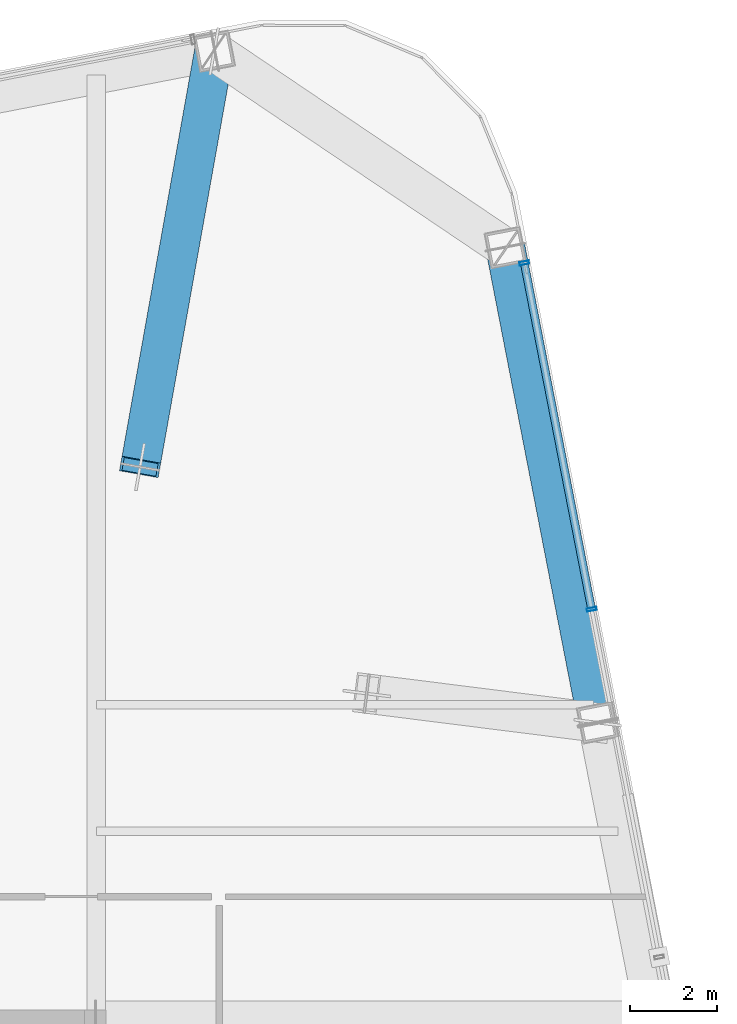
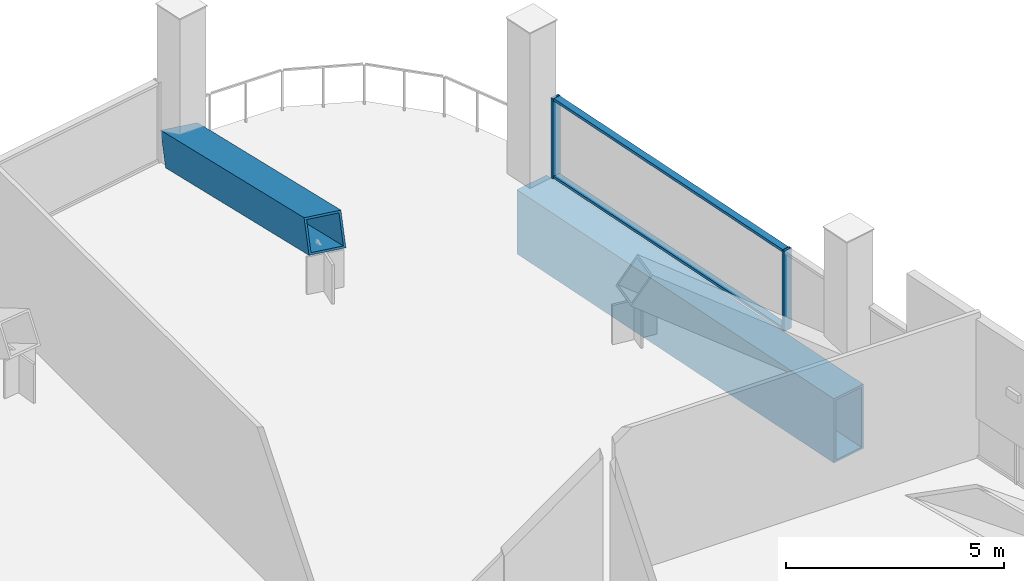
# One storey, part 16 of 26: 5 members, 1 beam, 1 element without a shape of its own.
"""IFC4 building model written with IfcOpenShell, lengths in metres."""

from ifc_helpers import new_model, si_unit, direction, frame, origin, origin_2d, place, context, subcontext, project, spatial, hollow_rectangle, extrude, material, layer, layer_set, material_profile, profile_set, type_object, element, aggregate, save


model = new_model("IFC4")

# Units and contexts
model_context = context("Model", 3, precision=1e-05, world=origin(), true_north=direction((0.0, 1.0)))
body_context = subcontext(model_context, "Body", "Model", "MODEL_VIEW")
ifc_project = project(units=[si_unit("LENGTHUNIT", "METRE"), si_unit("AREAUNIT", "SQUARE_METRE"), si_unit("VOLUMEUNIT", "CUBIC_METRE"), si_unit("PLANEANGLEUNIT", "RADIAN"), si_unit("MASSUNIT", "GRAM", prefix="KILO")], contexts=[model_context])

# Site, building, storey
site_placement = place(None, origin())
site = spatial("IfcSite", under=ifc_project, at=site_placement, CompositionType="ELEMENT")
building_placement = place(site_placement, origin())
building = spatial("IfcBuilding", under=site, at=building_placement, Name="Qhalaya Broadcast Tower", CompositionType="ELEMENT")
storey_placement = place(building_placement, frame((0.0, 0.0, 140.25)))
storey = spatial("IfcBuildingStorey", under=building, at=storey_placement, Name="L41", CompositionType="ELEMENT", Elevation=140.25)

# Beam
ifc_material_1 = material(Name="Structural Steel ASTM A572 Grade 50", Category="steel")
ifc_material_profile_1 = material_profile(ifc_material_1, hollow_rectangle(XDim=0.89990234375, YDim=1.800048828125, WallThickness=0.06005859375, at=origin_2d()), Name="BOX 900x1800x60")
ifc_profile_set_1 = profile_set([ifc_material_profile_1], Name="Structural Steel ASTM A572 Grade 50")
beam_type = type_object("IfcBeamType", Name="Block Cantilever Transfer Box Girder TG1", PredefinedType="USERDEFINED", material=ifc_profile_set_1)
beam_placement = place(storey_placement, frame((20.88037109375, 16.79248046875, -1.1201171875), z_axis=(-0.190800781233, 0.98162878008, 0.0), x_axis=(-0.98162878008, -0.190800781233, 0.0)))
element("IfcBeam", 1, at=beam_placement, inside=storey, type_object=beam_type, Name="L41 TG1 L41-SPR-07", ObjectType="GIRDER", PredefinedType="USERDEFINED", context=body_context, shape_type="SweptSolid", body=[
    extrude(hollow_rectangle(XDim=0.89990234375, YDim=1.800048828125, WallThickness=0.06005859375, at=origin_2d()), origin(), (0.0, 0.0, 1.0), 11.10009765625),
])

# Member
ifc_material_profile_2 = material_profile(ifc_material_1, hollow_rectangle(XDim=0.89990234375, YDim=0.89990234375, WallThickness=0.054931640625, at=origin_2d()), Name="BOX 900x900x55")
ifc_profile_set_2 = profile_set([ifc_material_profile_2], Name="Structural Steel ASTM A572 Grade 50")
member_type_1 = type_object("IfcMemberType", Name="Heavy Exoskeleton Transfer Strut RK1", PredefinedType="BRACE", material=ifc_profile_set_2)
member_1_placement = place(storey_placement, frame((12.07958984375, 32.1962890625, 0.427001953125), z_axis=(-0.162636744349, -0.912489783253, 0.375382051844), x_axis=(0.984485002465, -0.175468743431, 0.0)))
element("IfcMember", 2, at=member_1_placement, inside=storey, type_object=member_type_1, Name="L41 Inclined Exoskeleton Transfer Strut 09", PredefinedType="BRACE", context=body_context, shape_type="SweptSolid", body=[
    extrude(hollow_rectangle(XDim=0.89990234375, YDim=0.89990234375, WallThickness=0.054931640625, at=origin_2d()), origin(), (0.0, 0.0, 1.0), 10.450927734375),
])

# Curtain wall, members
ifc_material_2 = material(Name="Fired Architectural Terracotta", Category="masonry")
ifc_layer = layer(ifc_material_2, 0.219970703125, Name="Fired Architectural Terracotta")
ifc_layer_set = layer_set([ifc_layer], Name="Fired Architectural Terracotta")
curtain_wall_type = type_object("IfcCurtainWallType", Name="Block-Cap Unitised Terracotta Spandrel Wall CW-07", PredefinedType="NOTDEFINED", material=ifc_layer_set)
curtain_wall_placement = place(storey_placement, origin())
curtain_wall = element("IfcCurtainWall", 3, at=curtain_wall_placement, inside=storey, type_object=curtain_wall_type, Name="L41 Unitised Curtain Wall L41-CW-E", PredefinedType="NOTDEFINED")
ifc_material_3 = material(Name="Anodised Aluminium 6063-T6", Category="aluminium")
ifc_material_profile_3 = material_profile(ifc_material_3, hollow_rectangle(XDim=0.074951171875, YDim=0.219970703125, WallThickness=0.00390625, at=origin_2d()), Name="ALU-MUL 75x220x4")
ifc_profile_set_3 = profile_set([ifc_material_profile_3], Name="Anodised Aluminium 6063-T6")
member_type_2 = type_object("IfcMemberType", Name="Unitised Curtain-Wall Mullion M01", PredefinedType="MULLION", material=ifc_profile_set_3)
member_2_placement = place(storey_placement, frame((19.197021484375, 27.339599609375, 0.0), z_axis=(0.0, 0.0, 1.0), x_axis=(0.190810076719, -0.981626973255, 0.0)))
member_2 = element("IfcMember", 4, at=member_2_placement, type_object=member_type_2, Name="CW-07 mullion 1", PredefinedType="MULLION", context=body_context, shape_type="SweptSolid", body=[
    extrude(hollow_rectangle(XDim=0.074951171875, YDim=0.219970703125, WallThickness=0.00390625, at=origin_2d()), origin(), (0.0, 0.0, 1.0), 2.25),
])
member_3_placement = place(storey_placement, frame((20.7412109375, 19.39501953125, 0.0), z_axis=(0.0, 0.0, 1.0), x_axis=(0.190810076719, -0.981626973255, 0.0)))
member_3 = element("IfcMember", 5, at=member_3_placement, type_object=member_type_2, Name="CW-07 mullion 2", PredefinedType="MULLION", context=body_context, shape_type="SweptSolid", body=[
    extrude(hollow_rectangle(XDim=0.074951171875, YDim=0.219970703125, WallThickness=0.00390625, at=origin_2d()), origin(), (0.0, 0.0, 1.0), 2.25),
])
ifc_material_profile_4 = material_profile(ifc_material_3, hollow_rectangle(XDim=0.074951171875, YDim=0.179931640625, WallThickness=0.00390625, at=origin_2d()), Name="ALU-TRN 75x180x4")
ifc_profile_set_4 = profile_set([ifc_material_profile_4], Name="Anodised Aluminium 6063-T6")
member_type_3 = type_object("IfcMemberType", Name="Unitised Curtain-Wall Transom T01", PredefinedType="USERDEFINED", material=ifc_profile_set_4)
member_4_placement = place(storey_placement, frame((19.2041015625, 27.302978515625, 0.03759765625), z_axis=(0.190808539261, -0.981627272108, 0.0), x_axis=(0.0, 0.0, 1.0)))
member_4 = element("IfcMember", 6, at=member_4_placement, type_object=member_type_3, Name="CW-07 transom 1.1", ObjectType="TRANSOM", PredefinedType="USERDEFINED", context=body_context, shape_type="SweptSolid", body=[
    extrude(hollow_rectangle(XDim=0.074951171875, YDim=0.179931640625, WallThickness=0.00390625, at=origin_2d()), origin(), (0.0, 0.0, 1.0), 8.0185546875),
])
member_5_placement = place(storey_placement, frame((19.2041015625, 27.302978515625, 2.21240234375), z_axis=(0.190808539261, -0.981627272108, 0.0), x_axis=(0.0, 0.0, 1.0)))
member_5 = element("IfcMember", 7, at=member_5_placement, type_object=member_type_3, Name="CW-07 transom 1.2", ObjectType="TRANSOM", PredefinedType="USERDEFINED", context=body_context, shape_type="SweptSolid", body=[
    extrude(hollow_rectangle(XDim=0.074951171875, YDim=0.179931640625, WallThickness=0.00390625, at=origin_2d()), origin(), (0.0, 0.0, 1.0), 8.0185546875),
])
aggregate(curtain_wall, [member_2, member_3, member_4, member_5])

save(model, "model.ifc")
